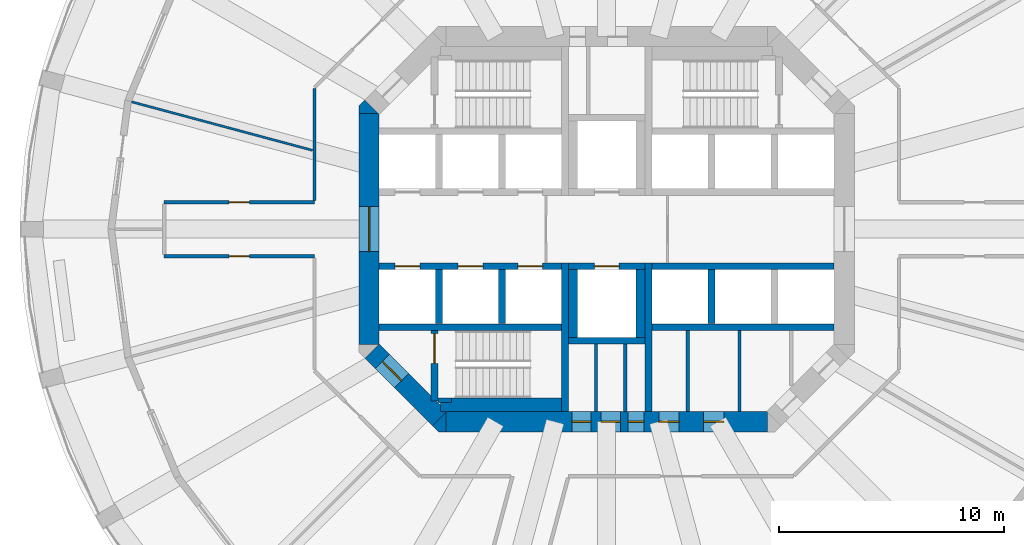
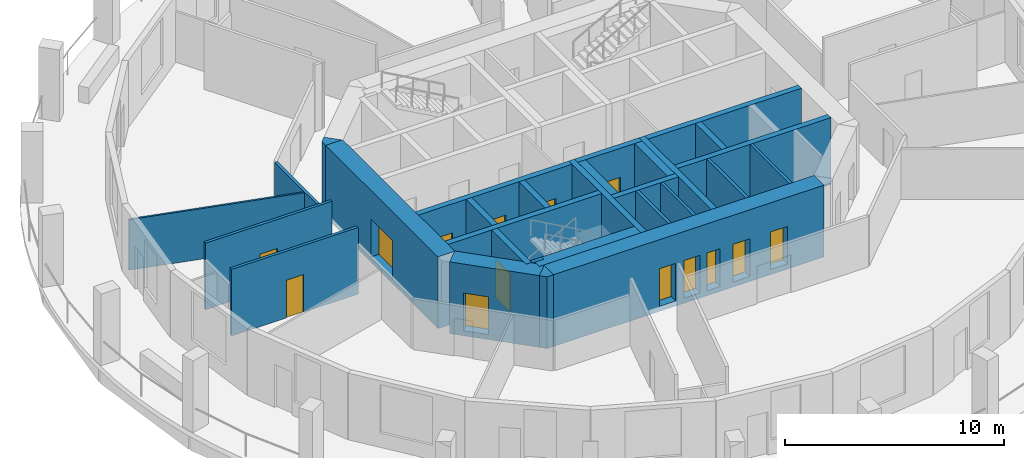
# One storey, part 3 of 9: 29 walls, 14 doors, 14 openings.
"""IFC4 building model written with IfcOpenShell, lengths in metres."""

from ifc_helpers import new_model, si_unit, direction, frame, frame_2d, origin, place, context, subcontext, project, spatial, polyline, rectangle, outline, extrude, material, layer, layer_set, type_object, element, fill, save


model = new_model("IFC4")

# Units and contexts
model_context = context("Model", 3, precision=1e-05, world=origin(), true_north=direction((0.0, 1.0)))
body_context = subcontext(model_context, "Body", "Model", "MODEL_VIEW")
ifc_project = project(units=[si_unit("LENGTHUNIT", "METRE"), si_unit("AREAUNIT", "SQUARE_METRE"), si_unit("VOLUMEUNIT", "CUBIC_METRE"), si_unit("PLANEANGLEUNIT", "RADIAN"), si_unit("MASSUNIT", "GRAM", prefix="KILO")], contexts=[model_context])

# Site, building, storey
site_placement = place(None, origin())
site = spatial("IfcSite", under=ifc_project, at=site_placement, CompositionType="ELEMENT")
building_placement = place(site_placement, origin())
building = spatial("IfcBuilding", under=site, at=building_placement, Name="Torre Triforio", CompositionType="ELEMENT")
storey_placement = place(building_placement, frame((0.0, 0.0, 106.60009765625)))
storey = spatial("IfcBuildingStorey", under=building, at=storey_placement, Name="L23", CompositionType="ELEMENT", Elevation=106.60009765625)

# Walls
ifc_material_1 = material(Name="Concrete C60", Category="concrete")
ifc_layer_1 = layer(ifc_material_1, 0.300048828125)
ifc_layer_set_1 = layer_set([ifc_layer_1], Name="Concrete C60")
wall_type_1 = type_object("IfcWallType", Name="Core wall 300 mm C60 EI 120", PredefinedType="SHEAR", material=ifc_layer_set_1)
for number, where, z_axis, x_axis, name in (
    (1, (-1.85009765625, -8.10009765625, 0.0), (0.0, 0.0, 1.0), (0.0, 1.0, 0.0), "Core wall"),
    (2, (1.85009765625, -8.10009765625, 0.0), (0.0, 0.0, 1.0), (0.0, 1.0, 0.0), "Core wall"),
):
    element("IfcWall", number, at=place(storey_placement, frame(where, z_axis=z_axis, x_axis=x_axis)), inside=storey, type_object=wall_type_1, Name=name, PredefinedType="SHEAR", context=body_context, shape_type="SweptSolid", body=[
        extrude(rectangle(XDim=6.60009765625, YDim=0.300048828125, at=frame_2d((3.300048828125, 0.0))), origin(), (0.0, 0.0, 1.0), 3.719970703125),
    ])

# Wall, openings, doors
ifc_layer_2 = layer(ifc_material_1, 0.89990234375)
ifc_layer_set_2 = layer_set([ifc_layer_2], Name="Concrete C60")
wall_type_2 = type_object("IfcWallType", Name="Core wall 900 mm C60 EI 120", PredefinedType="SHEAR", material=ifc_layer_set_2)
wall_1_placement = place(storey_placement, frame((-7.1298828125, -8.550048828125, -0.280029296875), z_axis=(0.0, 0.0, 1.0), x_axis=(1.0, 0.0, 0.0)))
wall_1 = element("IfcWall", 3, at=wall_1_placement, inside=storey, type_object=wall_type_2, Name="Core wall", PredefinedType="SHEAR", context=body_context, shape_type="SweptSolid", body=[
    extrude(rectangle(XDim=14.259765625, YDim=0.89990234375, at=frame_2d((7.1298828125, 0.0))), origin(), (0.0, 0.0, 1.0), 4.0),
])
opening_1_placement = place(wall_1_placement, frame((8.080078125, 0.0, 0.280029296875)))
opening_1 = element("IfcOpeningElement", 4, at=opening_1_placement, cuts=wall_1, Name="Opening RISER-S", PredefinedType="OPENING", context=body_context, shape_type="SweptSolid", body=[
    extrude(rectangle(XDim=0.699951171875, YDim=2.10009765625, at=frame_2d((0.35009765625, 1.050048828125))), frame((0.0, 0.4599609375, 0.0), z_axis=(0.0, -1.0, 0.0), x_axis=(1.0, 0.0, 0.0)), (0.0, 0.0, 1.0), 0.919921875),
])
opening_2_placement = place(wall_1_placement, frame((5.580078125, 0.0, 0.280029296875)))
opening_2 = element("IfcOpeningElement", 5, at=opening_2_placement, cuts=wall_1, Name="Opening SW-01A", PredefinedType="OPENING", context=body_context, shape_type="SweptSolid", body=[
    extrude(rectangle(XDim=0.85009765625, YDim=2.10009765625, at=frame_2d((0.425048828125, 1.050048828125))), frame((0.0, 0.4599609375, 0.0), z_axis=(0.0, -1.0, 0.0), x_axis=(1.0, 0.0, 0.0)), (0.0, 0.0, 1.0), 0.919921875),
])
opening_3_placement = place(wall_1_placement, frame((6.8798828125, 0.0, 0.280029296875)))
opening_3 = element("IfcOpeningElement", 6, at=opening_3_placement, cuts=wall_1, Name="Opening SW-02", PredefinedType="OPENING", context=body_context, shape_type="SweptSolid", body=[
    extrude(rectangle(XDim=0.85009765625, YDim=2.10009765625, at=frame_2d((0.425048828125, 1.050048828125))), frame((0.0, 0.4599609375, 0.0), z_axis=(0.0, -1.0, 0.0), x_axis=(1.0, 0.0, 0.0)), (0.0, 0.0, 1.0), 0.919921875),
])
opening_4_placement = place(wall_1_placement, frame((9.445068359375, 0.0, 0.280029296875)))
opening_4 = element("IfcOpeningElement", 7, at=opening_4_placement, cuts=wall_1, Name="Opening SE-01A", PredefinedType="OPENING", context=body_context, shape_type="SweptSolid", body=[
    extrude(rectangle(XDim=0.89990234375, YDim=2.10009765625, at=frame_2d((0.449951171875, 1.050048828125))), frame((0.0, 0.4599609375, 0.0), z_axis=(0.0, -1.0, 0.0), x_axis=(1.0, 0.0, 0.0)), (0.0, 0.0, 1.0), 0.919921875),
])
opening_5_placement = place(wall_1_placement, frame((11.430908203125, 0.0, 0.280029296875)))
opening_5 = element("IfcOpeningElement", 8, at=opening_5_placement, cuts=wall_1, Name="Opening SE-02", PredefinedType="OPENING", context=body_context, shape_type="SweptSolid", body=[
    extrude(rectangle(XDim=0.89990234375, YDim=2.10009765625, at=frame_2d((0.449951171875, 1.050048828125))), frame((0.0, 0.4599609375, 0.0), z_axis=(0.0, -1.0, 0.0), x_axis=(1.0, 0.0, 0.0)), (0.0, 0.0, 1.0), 0.919921875),
])
ifc_material_2 = material(Name="Hollow metal fire door leaf")
door_type_1 = type_object("IfcDoorType", Name="Riser door 700 x 2100 EI 60", OperationType="NOTDEFINED", PredefinedType="DOOR", material=ifc_material_2)
door_1_placement = place(opening_1_placement, origin())
door_1 = element("IfcDoor", 9, at=door_1_placement, inside=storey, type_object=door_type_1, Name="Core door RISER-S", OperationType="SINGLE_SWING_RIGHT", OverallHeight=2.10009765625, OverallWidth=0.699951171875, PredefinedType="DOOR", context=body_context, shape_type="SweptSolid", body=[
    extrude(rectangle(XDim=0.699951171875, YDim=2.10009765625, at=frame_2d((0.35009765625, 1.050048828125))), frame((0.0, 0.02490234375, 0.0), z_axis=(0.0, -1.0, 0.0), x_axis=(1.0, 0.0, 0.0)), (0.0, 0.0, 1.0), 0.050048828125),
])
fill(opening_1, door_1)
door_type_2 = type_object("IfcDoorType", Name="Room door 850 x 2100 EI 60", OperationType="NOTDEFINED", PredefinedType="DOOR", material=ifc_material_2)
door_2_placement = place(opening_2_placement, origin())
door_2 = element("IfcDoor", 10, at=door_2_placement, inside=storey, type_object=door_type_2, Name="Core door SW-01", OperationType="SINGLE_SWING_RIGHT", OverallHeight=2.10009765625, OverallWidth=0.85009765625, PredefinedType="DOOR", context=body_context, shape_type="SweptSolid", body=[
    extrude(rectangle(XDim=0.85009765625, YDim=2.10009765625, at=frame_2d((0.425048828125, 1.050048828125))), frame((0.0, 0.02490234375, 0.0), z_axis=(0.0, -1.0, 0.0), x_axis=(1.0, 0.0, 0.0)), (0.0, 0.0, 1.0), 0.050048828125),
])
fill(opening_2, door_2)
door_3_placement = place(opening_3_placement, origin())
door_3 = element("IfcDoor", 11, at=door_3_placement, inside=storey, type_object=door_type_2, Name="Core door SW-02", OperationType="SINGLE_SWING_LEFT", OverallHeight=2.10009765625, OverallWidth=0.85009765625, PredefinedType="DOOR", context=body_context, shape_type="SweptSolid", body=[
    extrude(rectangle(XDim=0.85009765625, YDim=2.10009765625, at=frame_2d((0.425048828125, 1.050048828125))), frame((0.0, 0.02490234375, 0.0), z_axis=(0.0, -1.0, 0.0), x_axis=(1.0, 0.0, 0.0)), (0.0, 0.0, 1.0), 0.050048828125),
])
fill(opening_3, door_3)
door_type_3 = type_object("IfcDoorType", Name="Room door 900 x 2100 EI 60", OperationType="NOTDEFINED", PredefinedType="DOOR", material=ifc_material_2)
door_4_placement = place(opening_4_placement, origin())
door_4 = element("IfcDoor", 12, at=door_4_placement, inside=storey, type_object=door_type_3, Name="Core door SE-01", OperationType="SINGLE_SWING_RIGHT", OverallHeight=2.10009765625, OverallWidth=0.89990234375, PredefinedType="DOOR", context=body_context, shape_type="SweptSolid", body=[
    extrude(rectangle(XDim=0.89990234375, YDim=2.10009765625, at=frame_2d((0.449951171875, 1.050048828125))), frame((0.0, 0.02490234375, 0.0), z_axis=(0.0, -1.0, 0.0), x_axis=(1.0, 0.0, 0.0)), (0.0, 0.0, 1.0), 0.050048828125),
])
fill(opening_4, door_4)
door_5_placement = place(opening_5_placement, origin())
door_5 = element("IfcDoor", 13, at=door_5_placement, inside=storey, type_object=door_type_3, Name="Core door SE-02", OperationType="SINGLE_SWING_LEFT", OverallHeight=2.10009765625, OverallWidth=0.89990234375, PredefinedType="DOOR", context=body_context, shape_type="SweptSolid", body=[
    extrude(rectangle(XDim=0.89990234375, YDim=2.10009765625, at=frame_2d((0.449951171875, 1.050048828125))), frame((0.0, 0.02490234375, 0.0), z_axis=(0.0, -1.0, 0.0), x_axis=(1.0, 0.0, 0.0)), (0.0, 0.0, 1.0), 0.050048828125),
])
fill(opening_5, door_5)

# Wall, opening, door
wall_2_placement = place(storey_placement, frame((-10.550048828125, -5.1298828125, -0.280029296875), z_axis=(0.0, 0.0, 1.0), x_axis=(0.0, 1.0, 0.0)))
wall_2 = element("IfcWall", 14, at=wall_2_placement, inside=storey, type_object=wall_type_2, Name="Core wall", PredefinedType="SHEAR", context=body_context, shape_type="SweptSolid", body=[
    extrude(rectangle(XDim=10.259765625, YDim=0.89990234375, at=frame_2d((5.1298828125, 0.0))), origin(), (0.0, 0.0, 1.0), 4.0),
])
opening_6_placement = place(wall_2_placement, frame((4.1298828125, 0.0, 0.280029296875)))
opening_6 = element("IfcOpeningElement", 15, at=opening_6_placement, cuts=wall_2, Name="Opening W-RING", PredefinedType="OPENING", context=body_context, shape_type="SweptSolid", body=[
    extrude(rectangle(XDim=2.0, YDim=2.10009765625, at=frame_2d((1.0, 1.050048828125))), frame((0.0, 0.4599609375, 0.0), z_axis=(0.0, -1.0, 0.0), x_axis=(1.0, 0.0, 0.0)), (0.0, 0.0, 1.0), 0.919921875),
])
door_type_4 = type_object("IfcDoorType", Name="Lobby door 2000 x 2100 EI 60", OperationType="DOUBLE_DOOR_SINGLE_SWING", PredefinedType="DOOR", material=ifc_material_2)
door_6_placement = place(opening_6_placement, origin())
door_6 = element("IfcDoor", 16, at=door_6_placement, inside=storey, type_object=door_type_4, Name="Core door W-RING", OperationType="DOUBLE_DOOR_SINGLE_SWING", OverallHeight=2.10009765625, OverallWidth=2.0, PredefinedType="DOOR", context=body_context, shape_type="SweptSolid", body=[
    extrude(rectangle(XDim=2.0, YDim=2.10009765625, at=frame_2d((1.0, 1.050048828125))), frame((0.0, 0.02490234375, 0.0), z_axis=(0.0, -1.0, 0.0), x_axis=(1.0, 0.0, 0.0)), (0.0, 0.0, 1.0), 0.050048828125),
])
fill(opening_6, door_6)

wall_3_placement = place(storey_placement, frame((-7.418212890625, -8.418212890625, -0.280029296875), z_axis=(0.0, 0.0, 1.0), x_axis=(-0.707106781187, 0.707106781187, 0.0)))
wall_3 = element("IfcWall", 17, at=wall_3_placement, inside=storey, type_object=wall_type_2, Name="Core wall", PredefinedType="SHEAR", context=body_context, shape_type="SweptSolid", body=[
    extrude(rectangle(XDim=4.24267578125, YDim=0.89990234375, at=frame_2d((2.121337890625, 0.0))), origin(), (0.0, 0.0, 1.0), 4.0),
])
opening_7_placement = place(wall_3_placement, frame((2.392578125, 0.0, 0.280029296875)))
opening_7 = element("IfcOpeningElement", 18, at=opening_7_placement, cuts=wall_3, Name="Opening ST3-EXIT", PredefinedType="OPENING", context=body_context, shape_type="SweptSolid", body=[
    extrude(rectangle(XDim=1.199951171875, YDim=2.10009765625, at=frame_2d((0.60009765625, 1.050048828125))), frame((0.0, 0.4599609375, 0.0), z_axis=(0.0, -1.0, 0.0), x_axis=(1.0, 0.0, 0.0)), (0.0, 0.0, 1.0), 0.919921875),
])
door_type_5 = type_object("IfcDoorType", Name="Stair lobby door 1200 x 2100 EI 60", OperationType="NOTDEFINED", PredefinedType="DOOR", material=ifc_material_2)
door_7_placement = place(opening_7_placement, origin())
door_7 = element("IfcDoor", 19, at=door_7_placement, inside=storey, type_object=door_type_5, Name="Core door ST3-EXIT", OperationType="SINGLE_SWING_RIGHT", OverallHeight=2.10009765625, OverallWidth=1.199951171875, PredefinedType="DOOR", context=body_context, shape_type="SweptSolid", body=[
    extrude(rectangle(XDim=1.199951171875, YDim=2.10009765625, at=frame_2d((0.60009765625, 1.050048828125))), frame((0.0, 0.02490234375, 0.0), z_axis=(0.0, -1.0, 0.0), x_axis=(1.0, 0.0, 0.0)), (0.0, 0.0, 1.0), 0.050048828125),
])
fill(opening_7, door_7)

# Walls
wall_4_placement = place(storey_placement, frame((0.0, 0.0, -0.280029296875)))
element("IfcWall", 20, at=wall_4_placement, inside=storey, type_object=wall_type_2, Name="Core wall", PredefinedType="SHEAR", context=body_context, shape_type="SweptSolid", body=[
    extrude(outline(polyline([(-7.472900390625, -9.0), (-7.736328125, -8.736328125), (-7.1298828125, -8.1298828125), (-7.1298828125, -9.0), (-7.472900390625, -9.0)])), origin(), (0.0, 0.0, 1.0), 4.0),
])
wall_5_placement = place(storey_placement, frame((0.0, 0.0, -0.280029296875)))
element("IfcWall", 21, at=wall_5_placement, inside=storey, type_object=wall_type_2, Name="Core wall", PredefinedType="SHEAR", context=body_context, shape_type="SweptSolid", body=[
    extrude(outline(polyline([(-10.736328125, 5.736328125), (-10.1298828125, 5.1298828125), (-11.0, 5.1298828125), (-11.0, 5.472900390625), (-10.736328125, 5.736328125)])), origin(), (0.0, 0.0, 1.0), 4.0),
])

# Wall, opening, door
ifc_material_3 = material(Name="Plasterboard on metal studs")
ifc_layer_3 = layer(ifc_material_3, 0.14990234375)
ifc_layer_set_3 = layer_set([ifc_layer_3], Name="Plasterboard on metal studs")
wall_type_3 = type_object("IfcWallType", Name="Corridor and tenancy wall 150 mm EI 60", PredefinedType="PARTITIONING", material=ifc_layer_set_3)
wall_6_placement = place(storey_placement, frame((-12.97509765625, -1.199951171875, 0.0), z_axis=(0.0, 0.0, 1.0), x_axis=(-1.0, 0.0, 0.0)))
wall_6 = element("IfcWall", 22, at=wall_6_placement, inside=storey, type_object=wall_type_3, Name="Partition 3", PredefinedType="PARTITIONING", context=body_context, shape_type="SweptSolid", body=[
    extrude(rectangle(XDim=6.673583984375, YDim=0.14990234375, at=frame_2d((3.3369140625, 0.0))), origin(), (0.0, 0.0, 1.0), 3.719970703125),
])
opening_8_placement = place(wall_6_placement, frame((2.886962890625, 0.0, 0.0)))
opening_8 = element("IfcOpeningElement", 23, at=opening_8_placement, cuts=wall_6, Name="Opening N7-03", PredefinedType="OPENING", context=body_context, shape_type="SweptSolid", body=[
    extrude(rectangle(XDim=0.89990234375, YDim=2.10009765625, at=frame_2d((0.449951171875, 1.050048828125))), frame((0.0, 0.0849609375, 0.0), z_axis=(0.0, -1.0, 0.0), x_axis=(1.0, 0.0, 0.0)), (0.0, 0.0, 1.0), 0.169921875),
])
ifc_material_4 = material(Name="Timber", Category="wood")
door_type_6 = type_object("IfcDoorType", Name="Door 900 x 2100 single leaf EI 30", OperationType="NOTDEFINED", PredefinedType="DOOR", material=ifc_material_4)
door_8_placement = place(opening_8_placement, origin())
door_8 = element("IfcDoor", 24, at=door_8_placement, inside=storey, type_object=door_type_6, Name="Door N7-03", OperationType="SINGLE_SWING_RIGHT", OverallHeight=2.10009765625, OverallWidth=0.89990234375, PredefinedType="DOOR", context=body_context, shape_type="SweptSolid", body=[
    extrude(rectangle(XDim=0.89990234375, YDim=2.10009765625, at=frame_2d((0.449951171875, 1.050048828125))), frame((0.0, 0.02490234375, 0.0), z_axis=(0.0, -1.0, 0.0), x_axis=(1.0, 0.0, 0.0)), (0.0, 0.0, 1.0), 0.050048828125),
])
fill(opening_8, door_8)

wall_7_placement = place(storey_placement, frame((-19.648681640625, 1.199951171875, 0.0), z_axis=(0.0, 0.0, 1.0), x_axis=(1.0, 0.0, 0.0)))
wall_7 = element("IfcWall", 25, at=wall_7_placement, inside=storey, type_object=wall_type_3, Name="Partition 5", PredefinedType="PARTITIONING", context=body_context, shape_type="SweptSolid", body=[
    extrude(rectangle(XDim=6.673583984375, YDim=0.14990234375, at=frame_2d((3.3369140625, 0.0))), origin(), (0.0, 0.0, 1.0), 3.719970703125),
])
opening_9_placement = place(wall_7_placement, frame((2.886962890625, 0.0, 0.0)))
opening_9 = element("IfcOpeningElement", 26, at=opening_9_placement, cuts=wall_7, Name="Opening N7-02", PredefinedType="OPENING", context=body_context, shape_type="SweptSolid", body=[
    extrude(rectangle(XDim=0.89990234375, YDim=2.10009765625, at=frame_2d((0.449951171875, 1.050048828125))), frame((0.0, 0.0849609375, 0.0), z_axis=(0.0, -1.0, 0.0), x_axis=(1.0, 0.0, 0.0)), (0.0, 0.0, 1.0), 0.169921875),
])
door_9_placement = place(opening_9_placement, origin())
door_9 = element("IfcDoor", 27, at=door_9_placement, inside=storey, type_object=door_type_6, Name="Door N7-02", OperationType="SINGLE_SWING_RIGHT", OverallHeight=2.10009765625, OverallWidth=0.89990234375, PredefinedType="DOOR", context=body_context, shape_type="SweptSolid", body=[
    extrude(rectangle(XDim=0.89990234375, YDim=2.10009765625, at=frame_2d((0.449951171875, 1.050048828125))), frame((0.0, 0.02490234375, 0.0), z_axis=(0.0, -1.0, 0.0), x_axis=(1.0, 0.0, 0.0)), (0.0, 0.0, 1.0), 0.050048828125),
])
fill(opening_9, door_9)

# Walls
wall_8_placement = place(storey_placement, frame((-12.97509765625, 1.27490234375, 0.0), z_axis=(0.0, 0.0, 1.0), x_axis=(0.0, 1.0, 0.0)))
element("IfcWall", 28, at=wall_8_placement, inside=storey, type_object=wall_type_3, Name="Partition 6", PredefinedType="PARTITIONING", context=body_context, shape_type="SweptSolid", body=[
    extrude(rectangle(XDim=4.96337890625, YDim=0.14990234375, at=frame_2d((2.481689453125, 0.0))), origin(), (0.0, 0.0, 1.0), 2.81982421875),
])
ifc_layer_4 = layer(ifc_material_3, 0.10009765625)
ifc_layer_set_4 = layer_set([ifc_layer_4], Name="Plasterboard on metal studs")
wall_type_4 = type_object("IfcWallType", Name="Partition 100 mm board on metal studs", PredefinedType="PARTITIONING", material=ifc_layer_set_4)
wall_9_placement = place(storey_placement, frame((-13.064208984375, 3.50048828125, 0.0), z_axis=(0.0, 0.0, 1.0), x_axis=(-0.965920254223, 0.258839839442, 0.0)))
element("IfcWall", 29, at=wall_9_placement, inside=storey, type_object=wall_type_4, Name="Partition 38", PredefinedType="PARTITIONING", context=body_context, shape_type="SweptSolid", body=[
    extrude(rectangle(XDim=8.3115234375, YDim=0.10009765625, at=frame_2d((4.15576171875, 0.0))), origin(), (0.0, 0.0, 1.0), 2.81982421875),
])
ifc_material_5 = material(Name="Block and board partition")
ifc_layer_5 = layer(ifc_material_5, 0.14990234375)
ifc_layer_set_5 = layer_set([ifc_layer_5], Name="Block and board partition")
wall_type_5 = type_object("IfcWallType", Name="Partition 150 mm", PredefinedType="PARTITIONING", material=ifc_layer_set_5)
wall_10_placement = place(storey_placement, frame((-0.47509765625, -8.10009765625, 0.0), z_axis=(0.0, 0.0, 1.0), x_axis=(0.0, 1.0, 0.0)))
element("IfcWall", 30, at=wall_10_placement, inside=storey, type_object=wall_type_5, Name="Partition", PredefinedType="PARTITIONING", context=body_context, shape_type="SweptSolid", body=[
    extrude(rectangle(XDim=3.0, YDim=0.14990234375, at=frame_2d((1.5, 0.0))), origin(), (0.0, 0.0, 1.0), 3.719970703125),
])
for number, where, z_axis, x_axis, name in (
    (31, (3.60498046875, -8.10009765625, 0.0), (0.0, 0.0, 1.0), (0.0, 1.0, 0.0), "Partition"),
    (32, (5.89697265625, -8.10009765625, 0.0), (0.0, 0.0, 1.0), (0.0, 1.0, 0.0), "Partition"),
):
    element("IfcWall", number, at=place(storey_placement, frame(where, z_axis=z_axis, x_axis=x_axis)), inside=storey, type_object=wall_type_5, Name=name, PredefinedType="PARTITIONING", context=body_context, shape_type="SweptSolid", body=[
        extrude(rectangle(XDim=3.60009765625, YDim=0.14990234375, at=frame_2d((1.800048828125, 0.0))), origin(), (0.0, 0.0, 1.0), 3.719970703125),
    ])
ifc_layer_6 = layer(ifc_material_5, 0.14990234375)
ifc_layer_set_6 = layer_set([ifc_layer_6], Name="Block and board partition")
wall_type_6 = type_object("IfcWallType", Name="Partition 150 mm EI 120", PredefinedType="PARTITIONING", material=ifc_layer_set_6)
wall_11_placement = place(storey_placement, frame((0.824951171875, -8.10009765625, 0.0), z_axis=(0.0, 0.0, 1.0), x_axis=(0.0, 1.0, 0.0)))
element("IfcWall", 33, at=wall_11_placement, inside=storey, type_object=wall_type_6, Name="Partition", PredefinedType="PARTITIONING", context=body_context, shape_type="SweptSolid", body=[
    extrude(rectangle(XDim=3.0, YDim=0.14990234375, at=frame_2d((1.5, 0.0))), origin(), (0.0, 0.0, 1.0), 3.719970703125),
])
ifc_layer_7 = layer(ifc_material_1, 0.300048828125)
ifc_layer_set_7 = layer_set([ifc_layer_7], Name="Concrete C60")
wall_type_7 = type_object("IfcWallType", Name="Shaft wall 300 mm C60 EI 120", PredefinedType="SOLIDWALL", material=ifc_layer_set_7)
for number, where, z_axis, x_axis, name in (
    (34, (-10.10009765625, -4.35009765625, 0.0), (0.0, 0.0, 1.0), (1.0, 0.0, 0.0), "Shaft wall"),
    (35, (2.0, -4.35009765625, 0.0), (0.0, 0.0, 1.0), (1.0, 0.0, 0.0), "Shaft wall"),
):
    element("IfcWall", number, at=place(storey_placement, frame(where, z_axis=z_axis, x_axis=x_axis)), inside=storey, type_object=wall_type_7, Name=name, PredefinedType="SOLIDWALL", context=body_context, shape_type="SweptSolid", body=[
        extrude(rectangle(XDim=8.10009765625, YDim=0.300048828125, at=frame_2d((4.050048828125, 0.0))), origin(), (0.0, 0.0, 1.0), 3.719970703125),
    ])

# Wall, openings, doors
wall_12_placement = place(storey_placement, frame((-10.10009765625, -1.64990234375, 0.0), z_axis=(0.0, 0.0, 1.0), x_axis=(1.0, 0.0, 0.0)))
wall_12 = element("IfcWall", 36, at=wall_12_placement, inside=storey, type_object=wall_type_7, Name="Shaft wall", PredefinedType="SOLIDWALL", context=body_context, shape_type="SweptSolid", body=[
    extrude(rectangle(XDim=8.10009765625, YDim=0.300048828125, at=frame_2d((4.050048828125, 0.0))), origin(), (0.0, 0.0, 1.0), 3.719970703125),
])
opening_10_placement = place(wall_12_placement, frame((0.699951171875, 0.0, 0.0)))
opening_10 = element("IfcOpeningElement", 37, at=opening_10_placement, cuts=wall_12, Name="Opening LD", PredefinedType="OPENING", context=body_context, shape_type="SweptSolid", body=[
    extrude(rectangle(XDim=1.10009765625, YDim=2.10009765625, at=frame_2d((0.550048828125, 1.050048828125))), frame((0.0, 0.159912109375, 0.0), z_axis=(0.0, -1.0, 0.0), x_axis=(1.0, 0.0, 0.0)), (0.0, 0.0, 1.0), 0.320068359375),
])
opening_11_placement = place(wall_12_placement, frame((3.5, 0.0, 0.0)))
opening_11 = element("IfcOpeningElement", 38, at=opening_11_placement, cuts=wall_12, Name="Opening LD", PredefinedType="OPENING", context=body_context, shape_type="SweptSolid", body=[
    extrude(rectangle(XDim=1.10009765625, YDim=2.10009765625, at=frame_2d((0.550048828125, 1.050048828125))), frame((0.0, 0.159912109375, 0.0), z_axis=(0.0, -1.0, 0.0), x_axis=(1.0, 0.0, 0.0)), (0.0, 0.0, 1.0), 0.320068359375),
])
opening_12_placement = place(wall_12_placement, frame((6.14990234375, 0.0, 0.0)))
opening_12 = element("IfcOpeningElement", 39, at=opening_12_placement, cuts=wall_12, Name="Opening LD", PredefinedType="OPENING", context=body_context, shape_type="SweptSolid", body=[
    extrude(rectangle(XDim=1.10009765625, YDim=2.10009765625, at=frame_2d((0.550048828125, 1.050048828125))), frame((0.0, 0.159912109375, 0.0), z_axis=(0.0, -1.0, 0.0), x_axis=(1.0, 0.0, 0.0)), (0.0, 0.0, 1.0), 0.320068359375),
])
door_type_7 = type_object("IfcDoorType", Name="Landing door 1100 x 2100 EI 60", OperationType="DOUBLE_DOOR_SLIDING", PredefinedType="DOOR", material=ifc_material_2)
door_10_placement = place(opening_10_placement, origin())
door_10 = element("IfcDoor", 40, at=door_10_placement, inside=storey, type_object=door_type_7, Name="Landing door LR4", OperationType="DOUBLE_DOOR_SLIDING", OverallHeight=2.10009765625, OverallWidth=1.10009765625, PredefinedType="DOOR", context=body_context, shape_type="SweptSolid", body=[
    extrude(rectangle(XDim=1.10009765625, YDim=2.10009765625, at=frame_2d((0.550048828125, 1.050048828125))), frame((0.0, 0.02490234375, 0.0), z_axis=(0.0, -1.0, 0.0), x_axis=(1.0, 0.0, 0.0)), (0.0, 0.0, 1.0), 0.050048828125),
])
fill(opening_10, door_10)
door_11_placement = place(opening_11_placement, origin())
door_11 = element("IfcDoor", 41, at=door_11_placement, inside=storey, type_object=door_type_7, Name="Landing door LR5", OperationType="DOUBLE_DOOR_SLIDING", OverallHeight=2.10009765625, OverallWidth=1.10009765625, PredefinedType="DOOR", context=body_context, shape_type="SweptSolid", body=[
    extrude(rectangle(XDim=1.10009765625, YDim=2.10009765625, at=frame_2d((0.550048828125, 1.050048828125))), frame((0.0, 0.02490234375, 0.0), z_axis=(0.0, -1.0, 0.0), x_axis=(1.0, 0.0, 0.0)), (0.0, 0.0, 1.0), 0.050048828125),
])
fill(opening_11, door_11)
door_12_placement = place(opening_12_placement, origin())
door_12 = element("IfcDoor", 42, at=door_12_placement, inside=storey, type_object=door_type_7, Name="Landing door LR6", OperationType="DOUBLE_DOOR_SLIDING", OverallHeight=2.10009765625, OverallWidth=1.10009765625, PredefinedType="DOOR", context=body_context, shape_type="SweptSolid", body=[
    extrude(rectangle(XDim=1.10009765625, YDim=2.10009765625, at=frame_2d((0.550048828125, 1.050048828125))), frame((0.0, 0.02490234375, 0.0), z_axis=(0.0, -1.0, 0.0), x_axis=(1.0, 0.0, 0.0)), (0.0, 0.0, 1.0), 0.050048828125),
])
fill(opening_12, door_12)

# Walls
wall_13_placement = place(storey_placement, frame((2.0, -1.64990234375, 0.0), z_axis=(0.0, 0.0, 1.0), x_axis=(1.0, 0.0, 0.0)))
element("IfcWall", 43, at=wall_13_placement, inside=storey, type_object=wall_type_7, Name="Shaft wall", PredefinedType="SOLIDWALL", context=body_context, shape_type="SweptSolid", body=[
    extrude(rectangle(XDim=8.10009765625, YDim=0.300048828125, at=frame_2d((4.050048828125, 0.0))), origin(), (0.0, 0.0, 1.0), 3.719970703125),
])
for number, where, z_axis, x_axis, name in (
    (44, (-7.449951171875, -4.199951171875, 0.0), (0.0, 0.0, 1.0), (0.0, 1.0, 0.0), "Shaft wall"),
    (45, (-4.64990234375, -4.199951171875, 0.0), (0.0, 0.0, 1.0), (0.0, 1.0, 0.0), "Shaft wall"),
    (46, (4.64990234375, -4.199951171875, 0.0), (0.0, 0.0, 1.0), (0.0, 1.0, 0.0), "Shaft wall"),
):
    element("IfcWall", number, at=place(storey_placement, frame(where, z_axis=z_axis, x_axis=x_axis)), inside=storey, type_object=wall_type_7, Name=name, PredefinedType="SOLIDWALL", context=body_context, shape_type="SweptSolid", body=[
        extrude(rectangle(XDim=2.39990234375, YDim=0.300048828125, at=frame_2d((1.199951171875, 0.0))), origin(), (0.0, 0.0, 1.0), 3.719970703125),
    ])

# Wall, opening, door
wall_14_placement = place(storey_placement, frame((-1.699951171875, -1.64990234375, 0.0), z_axis=(0.0, 0.0, 1.0), x_axis=(1.0, 0.0, 0.0)))
wall_14 = element("IfcWall", 47, at=wall_14_placement, inside=storey, type_object=wall_type_7, Name="Shaft wall", PredefinedType="SOLIDWALL", context=body_context, shape_type="SweptSolid", body=[
    extrude(rectangle(XDim=3.39990234375, YDim=0.300048828125, at=frame_2d((1.699951171875, 0.0))), origin(), (0.0, 0.0, 1.0), 3.719970703125),
])
opening_13_placement = place(wall_14_placement, frame((1.14990234375, 0.0, 0.0)))
opening_13 = element("IfcOpeningElement", 48, at=opening_13_placement, cuts=wall_14, Name="Opening LD", PredefinedType="OPENING", context=body_context, shape_type="SweptSolid", body=[
    extrude(rectangle(XDim=1.10009765625, YDim=2.10009765625, at=frame_2d((0.550048828125, 1.050048828125))), frame((0.0, 0.159912109375, 0.0), z_axis=(0.0, -1.0, 0.0), x_axis=(1.0, 0.0, 0.0)), (0.0, 0.0, 1.0), 0.320068359375),
])
door_13_placement = place(opening_13_placement, origin())
door_13 = element("IfcDoor", 49, at=door_13_placement, inside=storey, type_object=door_type_7, Name="Landing door FFL2", OperationType="DOUBLE_DOOR_SLIDING", OverallHeight=2.10009765625, OverallWidth=1.10009765625, PredefinedType="DOOR", context=body_context, shape_type="SweptSolid", body=[
    extrude(rectangle(XDim=1.10009765625, YDim=2.10009765625, at=frame_2d((0.550048828125, 1.050048828125))), frame((0.0, 0.02490234375, 0.0), z_axis=(0.0, -1.0, 0.0), x_axis=(1.0, 0.0, 0.0)), (0.0, 0.0, 1.0), 0.050048828125),
])
fill(opening_13, door_13)

# Walls
wall_15_placement = place(storey_placement, frame((-1.699951171875, -4.949951171875, 0.0), z_axis=(0.0, 0.0, 1.0), x_axis=(1.0, 0.0, 0.0)))
element("IfcWall", 50, at=wall_15_placement, inside=storey, type_object=wall_type_7, Name="Shaft wall", PredefinedType="SOLIDWALL", context=body_context, shape_type="SweptSolid", body=[
    extrude(rectangle(XDim=3.39990234375, YDim=0.300048828125, at=frame_2d((1.699951171875, 0.0))), origin(), (0.0, 0.0, 1.0), 3.719970703125),
])
ifc_layer_8 = layer(ifc_material_1, 0.39990234375)
ifc_layer_set_8 = layer_set([ifc_layer_8], Name="Concrete C60")
wall_type_8 = type_object("IfcWallType", Name="Shaft wall 400 mm C60 EI 120", PredefinedType="SOLIDWALL", material=ifc_layer_set_8)
for number, where, z_axis, x_axis, name in (
    (51, (-1.5, -4.800048828125, 0.0), (0.0, 0.0, 1.0), (0.0, 1.0, 0.0), "Shaft wall"),
    (52, (1.5, -4.800048828125, 0.0), (0.0, 0.0, 1.0), (0.0, 1.0, 0.0), "Shaft wall"),
):
    element("IfcWall", number, at=place(storey_placement, frame(where, z_axis=z_axis, x_axis=x_axis)), inside=storey, type_object=wall_type_8, Name=name, PredefinedType="SOLIDWALL", context=body_context, shape_type="SweptSolid", body=[
        extrude(rectangle(XDim=3.0, YDim=0.39990234375, at=frame_2d((1.5, 0.0))), origin(), (0.0, 0.0, 1.0), 3.719970703125),
    ])
ifc_layer_9 = layer(ifc_material_1, 0.199951171875)
ifc_layer_set_9 = layer_set([ifc_layer_9], Name="Concrete C60")
wall_type_9 = type_object("IfcWallType", Name="Stair wall 200 mm C60 EI 120", PredefinedType="SHEAR", material=ifc_layer_set_9)
wall_16_placement = place(storey_placement, frame((-7.5, -7.60009765625, 0.0), z_axis=(0.0, 0.0, 1.0), x_axis=(1.0, 0.0, 0.0)))
element("IfcWall", 53, at=wall_16_placement, inside=storey, type_object=wall_type_9, Name="Stair wall", PredefinedType="SHEAR", context=body_context, shape_type="SweptSolid", body=[
    extrude(rectangle(XDim=0.60009765625, YDim=0.199951171875, at=frame_2d((0.300048828125, 0.0))), origin(), (0.0, 0.0, 1.0), 3.719970703125),
])

# Wall, opening, door
ifc_layer_10 = layer(ifc_material_1, 0.300048828125)
ifc_layer_set_10 = layer_set([ifc_layer_10], Name="Concrete C60")
wall_type_10 = type_object("IfcWallType", Name="Stair wall 300 mm C60 EI 120", PredefinedType="SHEAR", material=ifc_layer_set_10)
wall_17_placement = place(storey_placement, frame((-7.64990234375, -7.639892578125, 0.0), z_axis=(0.0, 0.0, 1.0), x_axis=(0.0, 1.0, 0.0)))
wall_17 = element("IfcWall", 54, at=wall_17_placement, inside=storey, type_object=wall_type_10, Name="Stair wall", PredefinedType="SHEAR", context=body_context, shape_type="SweptSolid", body=[
    extrude(rectangle(XDim=3.139892578125, YDim=0.300048828125, at=frame_2d((1.56982421875, 0.0))), origin(), (0.0, 0.0, 1.0), 3.719970703125),
])
opening_14_placement = place(wall_17_placement, frame((1.679931640625, 0.0, 0.0)))
opening_14 = element("IfcOpeningElement", 55, at=opening_14_placement, cuts=wall_17, Name="Opening ST3-STA", PredefinedType="OPENING", context=body_context, shape_type="SweptSolid", body=[
    extrude(rectangle(XDim=1.320068359375, YDim=2.10009765625, at=frame_2d((0.66015625, 1.050048828125))), frame((0.0, 0.159912109375, 0.0), z_axis=(0.0, -1.0, 0.0), x_axis=(1.0, 0.0, 0.0)), (0.0, 0.0, 1.0), 0.320068359375),
])
door_type_8 = type_object("IfcDoorType", Name="Stair door 1320 x 2100 EI 90", OperationType="DOUBLE_DOOR_SINGLE_SWING", PredefinedType="DOOR", material=ifc_material_2)
door_14_placement = place(opening_14_placement, origin())
door_14 = element("IfcDoor", 56, at=door_14_placement, inside=storey, type_object=door_type_8, Name="Core door ST3-ST", OperationType="DOUBLE_DOOR_SINGLE_SWING", OverallHeight=2.10009765625, OverallWidth=1.320068359375, PredefinedType="DOOR", context=body_context, shape_type="SweptSolid", body=[
    extrude(rectangle(XDim=1.320068359375, YDim=2.10009765625, at=frame_2d((0.66015625, 1.050048828125))), frame((0.0, 0.02490234375, 0.0), z_axis=(0.0, -1.0, 0.0), x_axis=(1.0, 0.0, 0.0)), (0.0, 0.0, 1.0), 0.050048828125),
])
fill(opening_14, door_14)

# Wall
ifc_layer_11 = layer(ifc_material_1, 0.60009765625)
ifc_layer_set_11 = layer_set([ifc_layer_11], Name="Concrete C60")
wall_type_11 = type_object("IfcWallType", Name="Stair wall 600 mm C60 EI 120", PredefinedType="SHEAR", material=ifc_layer_set_11)
wall_18_placement = place(storey_placement, frame((-7.3701171875, -7.800048828125, 0.0), z_axis=(0.0, 0.0, 1.0), x_axis=(1.0, 0.0, 0.0)))
element("IfcWall", 57, at=wall_18_placement, inside=storey, type_object=wall_type_11, Name="Stair wall", PredefinedType="SHEAR", context=body_context, shape_type="SweptSolid", body=[
    extrude(rectangle(XDim=5.3701171875, YDim=0.60009765625, at=frame_2d((2.68505859375, 0.0))), origin(), (0.0, 0.0, 1.0), 3.719970703125),
])

save(model, "model.ifc")
